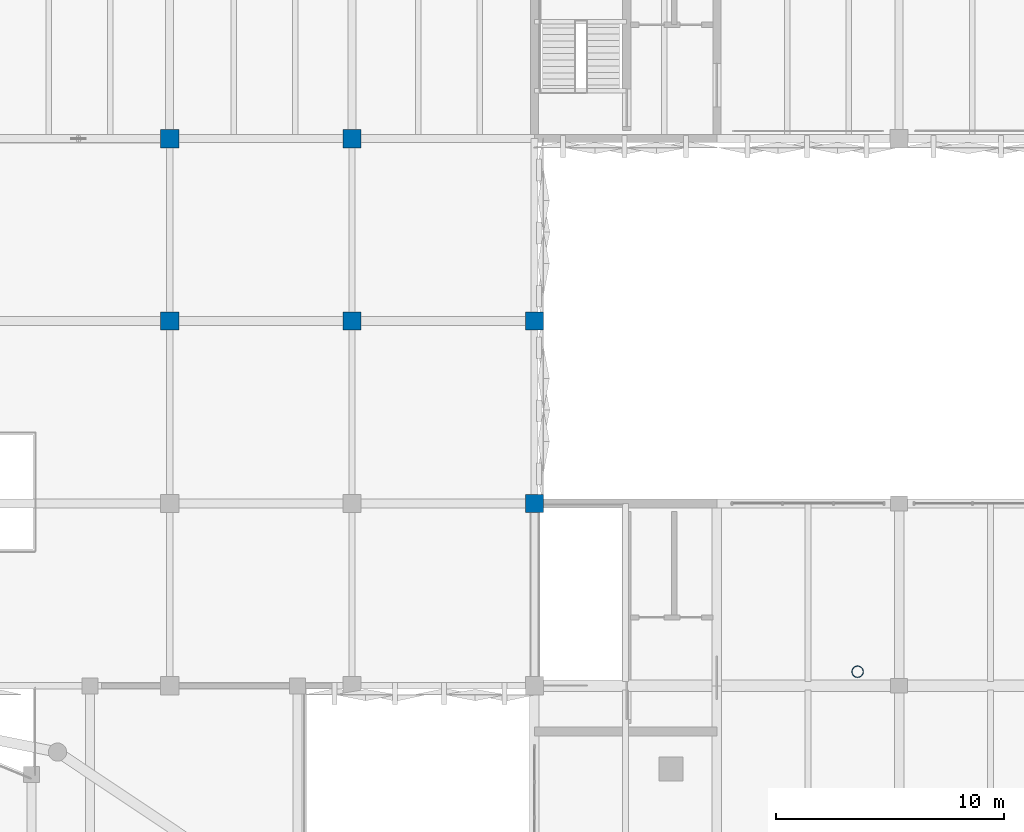
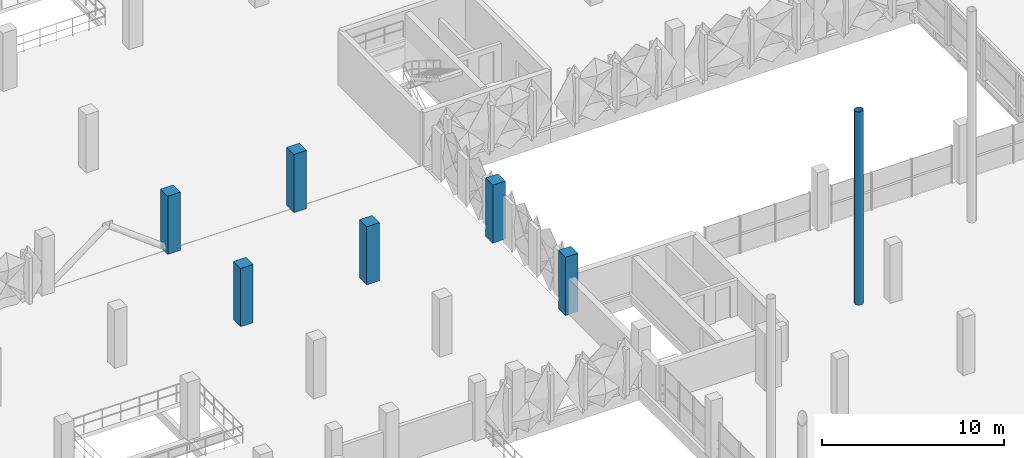
# One storey, part 7 of 123: 7 columns.
"""IFC4 building model written with IfcOpenShell, lengths in metres."""

from ifc_helpers import new_model, si_unit, derived_unit, direction, frame, origin, origin_2d, place, context, subcontext, project, spatial, rectangle, hollow_circle, extrude, material, material_profile, profile_set, type_object, element, save


model = new_model("IFC4")

# Units and contexts
model_context = context("Model", 3, precision=1e-05, world=origin(), true_north=direction((0.0, 1.0)))
body_context = subcontext(model_context, "Body", "Model", "MODEL_VIEW")
ifc_project = project(units=[si_unit("LENGTHUNIT", "METRE"), si_unit("AREAUNIT", "SQUARE_METRE"), si_unit("VOLUMEUNIT", "CUBIC_METRE"), si_unit("PLANEANGLEUNIT", "RADIAN"), si_unit("MASSUNIT", "GRAM", prefix="KILO"), si_unit("THERMODYNAMICTEMPERATUREUNIT", "KELVIN"), derived_unit("THERMALTRANSMITTANCEUNIT", [(si_unit("POWERUNIT", "WATT"), 1), (si_unit("AREAUNIT", "SQUARE_METRE"), -1), (si_unit("THERMODYNAMICTEMPERATUREUNIT", "KELVIN"), -1)])], contexts=[model_context])

# Site, building, storey
site_placement = place(None, origin())
site = spatial("IfcSite", under=ifc_project, at=site_placement, CompositionType="ELEMENT")
building_placement = place(site_placement, origin())
building = spatial("IfcBuilding", under=site, at=building_placement, Name="Haiyu Intermodal Mobility Hub", CompositionType="ELEMENT")
storey_placement = place(building_placement, frame((0.0, 0.0, 5.60009765625)))
storey = spatial("IfcBuildingStorey", under=building, at=storey_placement, Name="L01", CompositionType="ELEMENT", Elevation=5.60009765625)

# Columns
ifc_material_1 = material(Name="Precast concrete C40", Category="concrete")
ifc_material_profile_1 = material_profile(ifc_material_1, rectangle(XDim=0.800048828125, YDim=0.800048828125, at=origin_2d()), Name="RC800x800")
ifc_profile_set_1 = profile_set([ifc_material_profile_1], Name="Precast concrete C40")
column_type_1 = type_object("IfcColumnType", Name="COL-CC02", PredefinedType="COLUMN", material=ifc_profile_set_1)
for number, where, z_axis, x_axis, name in (
    (1, (46.0, 96.0, 0.0), (0.0, 0.0, 1.0), (1.0, 0.0, 0.0), "Column V4W-5L L01"),
    (2, (54.0, 96.0, 0.0), (0.0, 0.0, 1.0), (1.0, 0.0, 0.0), "Column V4W-6L L01"),
):
    element("IfcColumn", number, at=place(storey_placement, frame(where, z_axis=z_axis, x_axis=x_axis)), inside=storey, type_object=column_type_1, Name=name, PredefinedType="COLUMN", context=body_context, shape_type="SweptSolid", body=[
        extrude(rectangle(XDim=0.800048828125, YDim=0.800048828125, at=origin_2d()), origin(), (0.0, 0.0, 1.0), 3.89990234375),
    ])
ifc_material_profile_2 = material_profile(ifc_material_1, rectangle(XDim=0.800048828125, YDim=0.800048828125, at=origin_2d()), Name="RC800x800")
ifc_profile_set_2 = profile_set([ifc_material_profile_2], Name="Precast concrete C40")
column_type_2 = type_object("IfcColumnType", Name="COL-CC02-EXT", PredefinedType="COLUMN", material=ifc_profile_set_2)
for number, where, z_axis, x_axis, name in (
    (3, (46.0, 104.0, 0.0), (0.0, 0.0, 1.0), (1.0, 0.0, 0.0), "Column V4-5M L01"),
    (4, (54.0, 104.0, 0.0), (0.0, 0.0, 1.0), (1.0, 0.0, 0.0), "Column V4-6M L01"),
    (5, (62.0, 88.0, 0.0), (0.0, 0.0, 1.0), (1.0, 0.0, 0.0), "Column V4W-7K L01"),
    (6, (62.0, 96.0, 0.0), (0.0, 0.0, 1.0), (1.0, 0.0, 0.0), "Column V4W-7L L01"),
):
    element("IfcColumn", number, at=place(storey_placement, frame(where, z_axis=z_axis, x_axis=x_axis)), inside=storey, type_object=column_type_2, Name=name, PredefinedType="COLUMN", context=body_context, shape_type="SweptSolid", body=[
        extrude(rectangle(XDim=0.800048828125, YDim=0.800048828125, at=origin_2d()), origin(), (0.0, 0.0, 1.0), 3.89990234375),
    ])
ifc_material_2 = material(Name="Steel Q355C", Category="steel")
ifc_material_profile_3 = material_profile(ifc_material_2, hollow_circle(Radius=0.25390625, WallThickness=0.01611328125, at=origin_2d()), Name="CHS508x16")
ifc_profile_set_3 = profile_set([ifc_material_profile_3], Name="Steel Q355C")
column_type_3 = type_object("IfcColumnType", Name="COL-SC02-EXT", PredefinedType="COLUMN", material=ifc_profile_set_3)
column_placement = place(storey_placement, frame((76.179931640625, 80.616943359375, 0.0), z_axis=(0.0, 0.0, 1.0), x_axis=(1.0, 0.0, 0.0)))
element("IfcColumn", 7, at=column_placement, inside=storey, type_object=column_type_3, Name="Column RCOL-10 L01", PredefinedType="COLUMN", context=body_context, shape_type="SweptSolid", body=[
    extrude(hollow_circle(Radius=0.25390625, WallThickness=0.01611328125, at=origin_2d()), origin(), (0.0, 0.0, 1.0), 12.9599609375),
])

save(model, "model.ifc")
